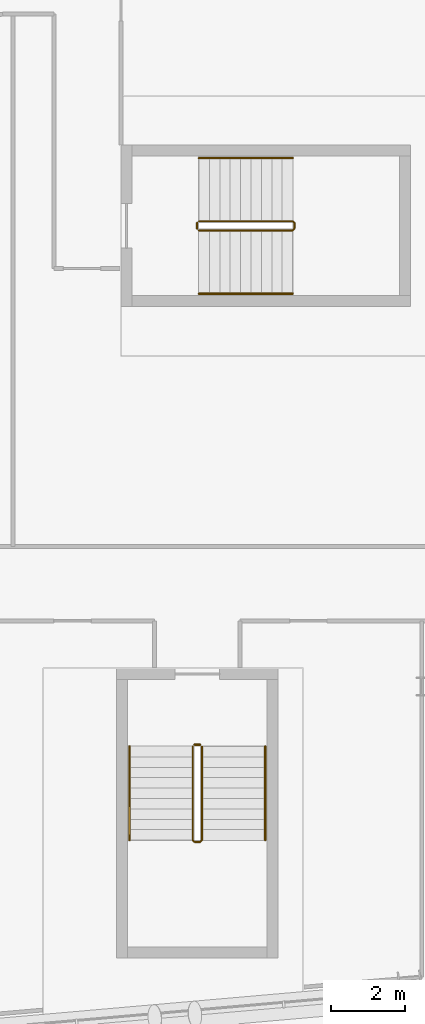
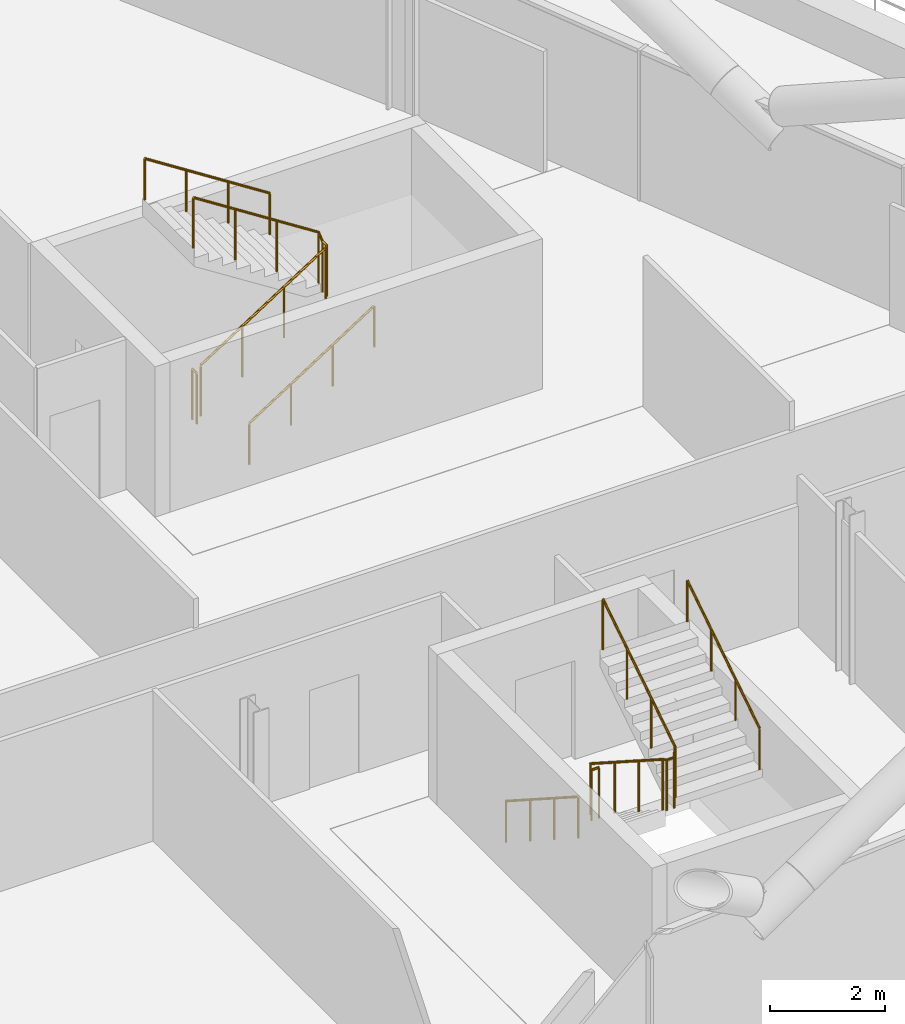
# One storey, part 28 of 30: 8 railings.
"""IFC4 building model written with IfcOpenShell, lengths in metres."""

from ifc_helpers import new_model, si_unit, direction, frame, origin, origin_2d, place, context, subcontext, project, spatial, circle, extrude, material, type_object, element, save


model = new_model("IFC4")

# Units and contexts
model_context = context("Model", 3, precision=1e-05, world=origin(), true_north=direction((0.0, 1.0)))
body_context = subcontext(model_context, "Body", "Model", "MODEL_VIEW")
ifc_project = project(units=[si_unit("LENGTHUNIT", "METRE"), si_unit("AREAUNIT", "SQUARE_METRE"), si_unit("VOLUMEUNIT", "CUBIC_METRE"), si_unit("PLANEANGLEUNIT", "RADIAN"), si_unit("MASSUNIT", "GRAM", prefix="KILO")], contexts=[model_context])

# Site, building, storey
site_placement = place(None, origin())
site = spatial("IfcSite", under=ifc_project, at=site_placement, CompositionType="ELEMENT")
building_placement = place(site_placement, origin())
building = spatial("IfcBuilding", under=site, at=building_placement, Name="Wharfspan Tower", CompositionType="ELEMENT")
storey_placement = place(building_placement, frame((0.0, 0.0, 151.899902)))
storey = spatial("IfcBuildingStorey", under=building, at=storey_placement, Name="L36", CompositionType="ELEMENT", Elevation=151.899902)

# Railings
ifc_material = material(Name="Steel S355J2", Category="steel")
railing_type_1 = type_object("IfcRailingType", Name="Stair guard 1100", PredefinedType="GUARDRAIL", material=ifc_material)
railing_1_placement = place(storey_placement, frame((65.836426, 9.883789, 0.180176)))
element("IfcRailing", 1, at=railing_1_placement, inside=storey, type_object=railing_type_1, Name="L36 ST5 stair guard 1", PredefinedType="GUARDRAIL", context=body_context, shape_type="SweptSolid", body=[
    extrude(circle(Radius=0.023926, at=origin_2d()), frame((0.0, 0.0, 1.076172), z_axis=(0.0, -0.8412, 0.540725), x_axis=(1.0, 0.0, 0.0)), (0.0, 0.0, 1.0), 2.99585),
    extrude(circle(Radius=0.023926, at=origin_2d()), frame((0.0, -2.52002, 2.695801), z_axis=(0.705376, -0.708834, 0.0), x_axis=(0.708834, 0.705376, 0.0)), (0.0, 0.0, 1.0), 0.070557),
    extrude(circle(Radius=0.023926, at=origin_2d()), frame((0.049805, -2.570068, 2.695801), z_axis=(1.0, 0.0, 0.0), x_axis=(0.0, 1.0, 0.0)), (0.0, 0.0, 1.0), 0.150146),
    extrude(circle(Radius=0.023926, at=origin_2d()), frame((0.199951, -2.570068, 2.695801), z_axis=(0.258848, 0.258848, 0.930589), x_axis=(-0.707107, 0.707107, 0.0)), (0.0, 0.0, 1.0), 0.193359),
    extrude(circle(Radius=0.023926, at=origin_2d()), frame((0.25, -2.52002, 2.875977), z_axis=(0.0, 0.841163, 0.540782), x_axis=(-1.0, 0.0, 0.0)), (0.0, 0.0, 1.0), 2.99585),
    extrude(circle(Radius=0.020996, at=origin_2d()), origin(), (0.0, 0.0, 1.0), 1.052002),
    extrude(circle(Radius=0.020996, at=origin_2d()), frame((0.0, -0.840088, 0.540039)), (0.0, 0.0, 1.0), 1.052002),
    extrude(circle(Radius=0.020996, at=origin_2d()), frame((0.0, -1.679932, 1.079834)), (0.0, 0.0, 1.0), 1.052002),
    extrude(circle(Radius=0.020996, at=origin_2d()), frame((0.0, -2.52002, 1.619873)), (0.0, 0.0, 1.0), 1.052002),
    extrude(circle(Radius=0.020996, at=origin_2d()), frame((0.049805, -2.570068, 1.619873)), (0.0, 0.0, 1.0), 1.052002),
    extrude(circle(Radius=0.020996, at=origin_2d()), frame((0.199951, -2.570068, 1.619873)), (0.0, 0.0, 1.0), 1.052002),
    extrude(circle(Radius=0.020996, at=origin_2d()), frame((0.25, -2.52002, 1.799805)), (0.0, 0.0, 1.0), 1.052002),
    extrude(circle(Radius=0.020996, at=origin_2d()), frame((0.25, -1.679932, 2.339844)), (0.0, 0.0, 1.0), 1.052002),
    extrude(circle(Radius=0.020996, at=origin_2d()), frame((0.25, -0.840088, 2.879883)), (0.0, 0.0, 1.0), 1.052002),
    extrude(circle(Radius=0.020996, at=origin_2d()), frame((0.25, 0.0, 3.419922)), (0.0, 0.0, 1.0), 1.052002),
])
railing_2_placement = place(storey_placement, frame((65.88623, 9.933594, 0.0)))
element("IfcRailing", 2, at=railing_2_placement, inside=storey, type_object=railing_type_1, Name="L36 ST5 stair guard 2", PredefinedType="GUARDRAIL", context=body_context, shape_type="SweptSolid", body=[
    extrude(circle(Radius=0.023926, at=origin_2d()), frame((0.0, 0.0, 1.076172), z_axis=(1.0, 0.0, 0.0), x_axis=(0.0, 1.0, 0.0)), (0.0, 0.0, 1.0), 0.150146),
    extrude(circle(Radius=0.020996, at=origin_2d()), origin(), (0.0, 0.0, 1.0), 1.052002),
    extrude(circle(Radius=0.020996, at=origin_2d()), frame((0.150146, 0.0, 0.0)), (0.0, 0.0, 1.0), 1.052002),
])
railing_3_placement = place(storey_placement, frame((66.004639, 23.774902, 0.180176)))
element("IfcRailing", 3, at=railing_3_placement, inside=storey, type_object=railing_type_1, Name="L36 ST6 stair guard 1", PredefinedType="GUARDRAIL", context=body_context, shape_type="SweptSolid", body=[
    extrude(circle(Radius=0.023926, at=origin_2d()), frame((0.0, 0.0, 1.076172), z_axis=(0.8412, 0.0, 0.540725), x_axis=(0.0, 1.0, 0.0)), (0.0, 0.0, 1.0), 2.99585),
    extrude(circle(Radius=0.023926, at=origin_2d()), frame((2.52002, 0.0, 2.695801), z_axis=(0.707107, 0.707107, 0.0), x_axis=(-0.707107, 0.707107, 0.0)), (0.0, 0.0, 1.0), 0.070801),
    extrude(circle(Radius=0.023926, at=origin_2d()), frame((2.570068, 0.050049, 2.695801), z_axis=(0.0, 1.0, 0.0), x_axis=(-1.0, 0.0, 0.0)), (0.0, 0.0, 1.0), 0.150146),
    extrude(circle(Radius=0.023926, at=origin_2d()), frame((2.570068, 0.200195, 2.695801), z_axis=(-0.258932, 0.257669, 0.930892), x_axis=(-0.705372, -0.708833, 1e-06)), (0.0, 0.0, 1.0), 0.193359),
    extrude(circle(Radius=0.023926, at=origin_2d()), frame((2.52002, 0.25, 2.875977), z_axis=(-0.841163, 0.0, 0.540782), x_axis=(0.0, -1.0, 0.0)), (0.0, 0.0, 1.0), 2.99585),
    extrude(circle(Radius=0.020996, at=origin_2d()), origin(), (0.0, 0.0, 1.0), 1.052002),
    extrude(circle(Radius=0.020996, at=origin_2d()), frame((0.840088, 0.0, 0.540039)), (0.0, 0.0, 1.0), 1.052002),
    extrude(circle(Radius=0.020996, at=origin_2d()), frame((1.679932, 0.0, 1.079834)), (0.0, 0.0, 1.0), 1.052002),
    extrude(circle(Radius=0.020996, at=origin_2d()), frame((2.52002, 0.0, 1.619873)), (0.0, 0.0, 1.0), 1.052002),
    extrude(circle(Radius=0.020996, at=origin_2d()), frame((2.570068, 0.050049, 1.619873)), (0.0, 0.0, 1.0), 1.052002),
    extrude(circle(Radius=0.020996, at=origin_2d()), frame((2.570068, 0.200195, 1.619873)), (0.0, 0.0, 1.0), 1.052002),
    extrude(circle(Radius=0.020996, at=origin_2d()), frame((2.52002, 0.25, 1.799805)), (0.0, 0.0, 1.0), 1.052002),
    extrude(circle(Radius=0.020996, at=origin_2d()), frame((1.679932, 0.25, 2.339844)), (0.0, 0.0, 1.0), 1.052002),
    extrude(circle(Radius=0.020996, at=origin_2d()), frame((0.840088, 0.25, 2.879883)), (0.0, 0.0, 1.0), 1.052002),
    extrude(circle(Radius=0.020996, at=origin_2d()), frame((0.0, 0.25, 3.419922)), (0.0, 0.0, 1.0), 1.052002),
])
railing_4_placement = place(storey_placement, frame((65.95459, 23.824951, 0.0)))
element("IfcRailing", 4, at=railing_4_placement, inside=storey, type_object=railing_type_1, Name="L36 ST6 stair guard 2", PredefinedType="GUARDRAIL", context=body_context, shape_type="SweptSolid", body=[
    extrude(circle(Radius=0.023926, at=origin_2d()), frame((0.0, 0.0, 1.076172), z_axis=(0.0, 1.0, 0.0), x_axis=(-1.0, 0.0, 0.0)), (0.0, 0.0, 1.0), 0.150146),
    extrude(circle(Radius=0.020996, at=origin_2d()), origin(), (0.0, 0.0, 1.0), 1.052002),
    extrude(circle(Radius=0.020996, at=origin_2d()), frame((0.0, 0.150146, 0.0)), (0.0, 0.0, 1.0), 1.052002),
])
railing_type_2 = type_object("IfcRailingType", Name="Stair handrail 900", PredefinedType="HANDRAIL", material=ifc_material)
railing_5_placement = place(storey_placement, frame((64.13623, 9.883789, 0.180176)))
element("IfcRailing", 5, at=railing_5_placement, inside=storey, type_object=railing_type_2, Name="L36 ST5 stair handrail 1", PredefinedType="HANDRAIL", context=body_context, shape_type="SweptSolid", body=[
    extrude(circle(Radius=0.023926, at=origin_2d()), frame((0.0, 0.0, 0.875977), z_axis=(0.0, -0.8412, 0.540725), x_axis=(1.0, 0.0, 0.0)), (0.0, 0.0, 1.0), 2.99585),
    extrude(circle(Radius=0.020996, at=origin_2d()), origin(), (0.0, 0.0, 1.0), 0.851807),
    extrude(circle(Radius=0.020996, at=origin_2d()), frame((0.0, -0.840088, 0.540039)), (0.0, 0.0, 1.0), 0.851807),
    extrude(circle(Radius=0.020996, at=origin_2d()), frame((0.0, -1.679932, 1.079834)), (0.0, 0.0, 1.0), 0.851807),
    extrude(circle(Radius=0.020996, at=origin_2d()), frame((0.0, -2.52002, 1.619873)), (0.0, 0.0, 1.0), 0.851807),
])
railing_6_placement = place(storey_placement, frame((67.786377, 7.36377, 1.97998)))
element("IfcRailing", 6, at=railing_6_placement, inside=storey, type_object=railing_type_2, Name="L36 ST5 stair handrail 2", PredefinedType="HANDRAIL", context=body_context, shape_type="SweptSolid", body=[
    extrude(circle(Radius=0.023926, at=origin_2d()), frame((0.0, 0.0, 0.875977), z_axis=(0.0, 0.841163, 0.540782), x_axis=(-1.0, 0.0, 0.0)), (0.0, 0.0, 1.0), 2.99585),
    extrude(circle(Radius=0.020996, at=origin_2d()), origin(), (0.0, 0.0, 1.0), 0.851807),
    extrude(circle(Radius=0.020996, at=origin_2d()), frame((0.0, 0.840088, 0.540039)), (0.0, 0.0, 1.0), 0.851807),
    extrude(circle(Radius=0.020996, at=origin_2d()), frame((0.0, 1.679932, 1.080078)), (0.0, 0.0, 1.0), 0.851807),
    extrude(circle(Radius=0.020996, at=origin_2d()), frame((0.0, 2.52002, 1.620117)), (0.0, 0.0, 1.0), 0.851807),
])
railing_7_placement = place(storey_placement, frame((66.004639, 22.074951, 0.180176)))
element("IfcRailing", 7, at=railing_7_placement, inside=storey, type_object=railing_type_2, Name="L36 ST6 stair handrail 1", PredefinedType="HANDRAIL", context=body_context, shape_type="SweptSolid", body=[
    extrude(circle(Radius=0.023926, at=origin_2d()), frame((0.0, 0.0, 0.875977), z_axis=(0.8412, 0.0, 0.540725), x_axis=(0.0, 1.0, 0.0)), (0.0, 0.0, 1.0), 2.99585),
    extrude(circle(Radius=0.020996, at=origin_2d()), origin(), (0.0, 0.0, 1.0), 0.851807),
    extrude(circle(Radius=0.020996, at=origin_2d()), frame((0.840088, 0.0, 0.540039)), (0.0, 0.0, 1.0), 0.851807),
    extrude(circle(Radius=0.020996, at=origin_2d()), frame((1.679932, 0.0, 1.079834)), (0.0, 0.0, 1.0), 0.851807),
    extrude(circle(Radius=0.020996, at=origin_2d()), frame((2.52002, 0.0, 1.619873)), (0.0, 0.0, 1.0), 0.851807),
])
railing_8_placement = place(storey_placement, frame((68.524658, 25.725098, 1.97998)))
element("IfcRailing", 8, at=railing_8_placement, inside=storey, type_object=railing_type_2, Name="L36 ST6 stair handrail 2", PredefinedType="HANDRAIL", context=body_context, shape_type="SweptSolid", body=[
    extrude(circle(Radius=0.023926, at=origin_2d()), frame((0.0, 0.0, 0.875977), z_axis=(-0.841163, 0.0, 0.540782), x_axis=(0.0, -1.0, 0.0)), (0.0, 0.0, 1.0), 2.99585),
    extrude(circle(Radius=0.020996, at=origin_2d()), origin(), (0.0, 0.0, 1.0), 0.851807),
    extrude(circle(Radius=0.020996, at=origin_2d()), frame((-0.840088, 0.0, 0.540039)), (0.0, 0.0, 1.0), 0.851807),
    extrude(circle(Radius=0.020996, at=origin_2d()), frame((-1.679932, 0.0, 1.080078)), (0.0, 0.0, 1.0), 0.851807),
    extrude(circle(Radius=0.020996, at=origin_2d()), frame((-2.52002, 0.0, 1.620117)), (0.0, 0.0, 1.0), 0.851807),
])

save(model, "model.ifc")
